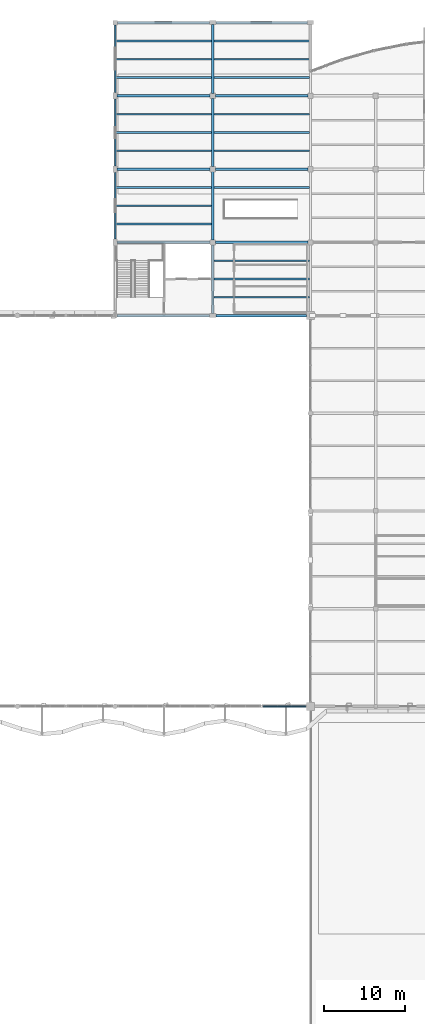
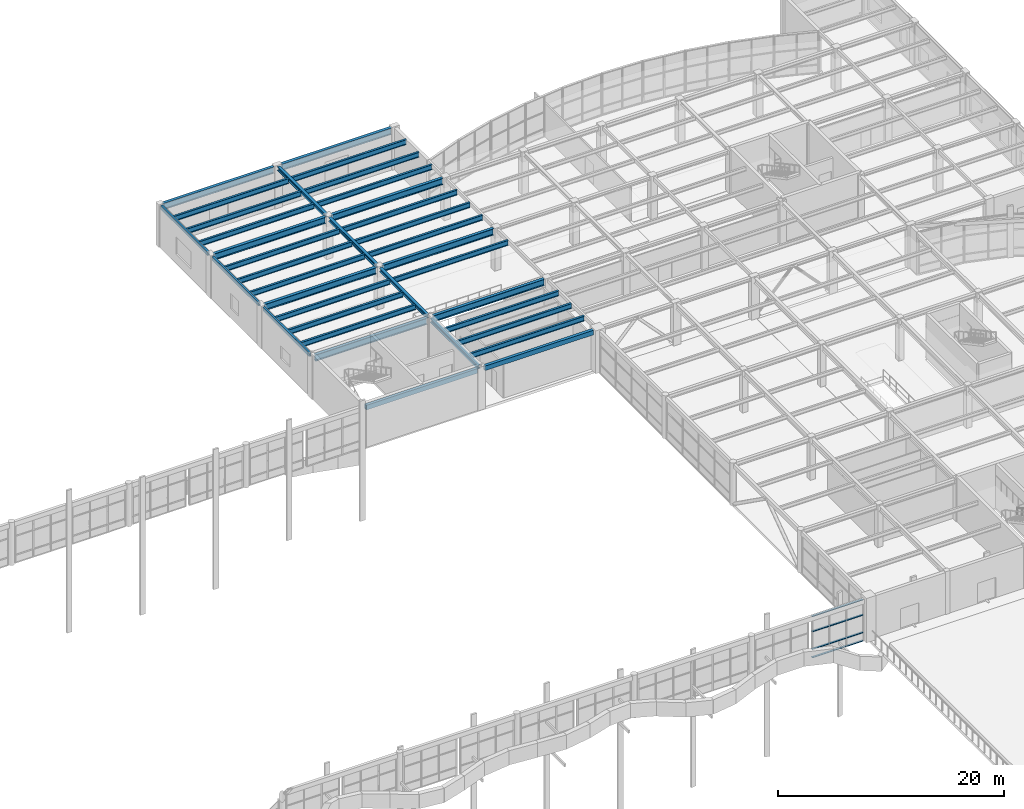
# One storey, part 22 of 63: 36 beams, 4 members, 1 element without a shape of its own.
"""IFC4 building model written with IfcOpenShell, lengths in metres."""

from ifc_helpers import new_model, si_unit, direction, frame, origin, origin_2d, place, context, subcontext, project, spatial, rectangle, hollow_rectangle, i_section, extrude, material, layer, layer_set, material_profile, profile_set, type_object, element, aggregate, save


model = new_model("IFC4")

# Units and contexts
model_context = context("Model", 3, precision=1e-05, world=origin(), true_north=direction((0.0, 1.0)))
body_context = subcontext(model_context, "Body", "Model", "MODEL_VIEW")
ifc_project = project(units=[si_unit("LENGTHUNIT", "METRE"), si_unit("AREAUNIT", "SQUARE_METRE"), si_unit("VOLUMEUNIT", "CUBIC_METRE"), si_unit("PLANEANGLEUNIT", "RADIAN"), si_unit("MASSUNIT", "GRAM", prefix="KILO")], contexts=[model_context])

# Site, building, storey
site_placement = place(None, origin())
site = spatial("IfcSite", under=ifc_project, at=site_placement, CompositionType="ELEMENT")
building_placement = place(site_placement, origin())
building = spatial("IfcBuilding", under=site, at=building_placement, Name="Keelwater Ferry Terminal", CompositionType="ELEMENT")
storey_placement = place(building_placement, frame((0.0, 0.0, 10.199951171875)))
storey = spatial("IfcBuildingStorey", under=building, at=storey_placement, Name="L02", CompositionType="ELEMENT", Elevation=10.199951171875)

# Curtain wall, members
ifc_material_1 = material(Name="Thermally broken unitised aluminium and triple glass", Category="aluminium")
ifc_layer = layer(ifc_material_1, 0.179931640625)
ifc_layer_set = layer_set([ifc_layer], Name="Thermally broken unitised aluminium and triple glass")
curtain_wall_type = type_object("IfcCurtainWallType", Name="CW-03 Unitised Curtain Wall 5230x4450", PredefinedType="USERDEFINED", material=ifc_layer_set)
curtain_wall_placement = place(storey_placement, origin())
curtain_wall = element("IfcCurtainWall", 1, at=curtain_wall_placement, inside=storey, type_object=curtain_wall_type, Name="Unitised Curtain Wall CW-L02-024", ObjectType="UNITISED CURTAIN WALL", PredefinedType="USERDEFINED")
ifc_material_2 = material(Name="Aluminium mullion", Category="aluminium")
ifc_material_profile_1 = material_profile(ifc_material_2, rectangle(XDim=0.199951171875, YDim=0.074951171875, at=origin_2d()), Name="CWT-02")
ifc_profile_set_1 = profile_set([ifc_material_profile_1], Name="Aluminium mullion")
member_type = type_object("IfcMemberType", Name="CWT-02 Curtain Transom 75x200", PredefinedType="USERDEFINED", material=ifc_profile_set_1)
member_1_placement = place(storey_placement, frame((126.195068359375, 42.0, 0.0), z_axis=(1.0, 0.0, 0.0), x_axis=(0.0, 1.0, 0.0)))
member_1 = element("IfcMember", 2, at=member_1_placement, type_object=member_type, Name="CW-L02-024 Transom 1", ObjectType="TRANSOM", PredefinedType="USERDEFINED", context=body_context, shape_type="SweptSolid", body=[
    extrude(rectangle(XDim=0.199951171875, YDim=0.074951171875, at=origin_2d()), origin(), (0.0, 0.0, 1.0), 5.22998046875),
])
member_2_placement = place(storey_placement, frame((126.195068359375, 42.0, 0.900146484375), z_axis=(1.0, 0.0, 0.0), x_axis=(0.0, 1.0, 0.0)))
member_2 = element("IfcMember", 3, at=member_2_placement, type_object=member_type, Name="CW-L02-024 Transom 2", ObjectType="TRANSOM", PredefinedType="USERDEFINED", context=body_context, shape_type="SweptSolid", body=[
    extrude(rectangle(XDim=0.199951171875, YDim=0.074951171875, at=origin_2d()), origin(), (0.0, 0.0, 1.0), 5.22998046875),
])
member_3_placement = place(storey_placement, frame((126.195068359375, 42.0, 2.800048828125), z_axis=(1.0, 0.0, 0.0), x_axis=(0.0, 1.0, 0.0)))
member_3 = element("IfcMember", 4, at=member_3_placement, type_object=member_type, Name="CW-L02-024 Transom 3", ObjectType="TRANSOM", PredefinedType="USERDEFINED", context=body_context, shape_type="SweptSolid", body=[
    extrude(rectangle(XDim=0.199951171875, YDim=0.074951171875, at=origin_2d()), origin(), (0.0, 0.0, 1.0), 5.22998046875),
])
member_4_placement = place(storey_placement, frame((126.195068359375, 42.0, 4.449951171875), z_axis=(1.0, 0.0, 0.0), x_axis=(0.0, 1.0, 0.0)))
member_4 = element("IfcMember", 5, at=member_4_placement, type_object=member_type, Name="CW-L02-024 Transom 4", ObjectType="TRANSOM", PredefinedType="USERDEFINED", context=body_context, shape_type="SweptSolid", body=[
    extrude(rectangle(XDim=0.199951171875, YDim=0.074951171875, at=origin_2d()), origin(), (0.0, 0.0, 1.0), 5.22998046875),
])
aggregate(curtain_wall, [member_1, member_2, member_3, member_4])

# Beams
ifc_material_3 = material(Name="Steel S355", Category="steel")
ifc_material_profile_2 = material_profile(ifc_material_3, i_section(OverallWidth=0.300048828125, OverallDepth=0.699951171875, WebThickness=0.01708984375, FlangeThickness=0.031982421875, at=origin_2d()), Name="HEB 700")
ifc_profile_set_2 = profile_set([ifc_material_profile_2], Name="Steel S355")
beam_type_1 = type_object("IfcBeamType", Name="G2 HEB 700", PredefinedType="BEAM", material=ifc_profile_set_2)
beam_1_placement = place(storey_placement, frame((108.2451171875, 117.0, 4.170166015625), z_axis=(1.0, 0.0, 0.0), x_axis=(0.0, 1.0, 0.0)))
element("IfcBeam", 6, at=beam_1_placement, inside=storey, type_object=beam_type_1, Name="Beam BM-L02-1061", PredefinedType="BEAM", context=body_context, shape_type="SweptSolid", body=[
    extrude(i_section(OverallWidth=0.300048828125, OverallDepth=0.699951171875, WebThickness=0.01708984375, FlangeThickness=0.031982421875, at=origin_2d()), origin(), (0.0, 0.0, 1.0), 11.436767578125),
])
beam_2_placement = place(storey_placement, frame((120.318115234375, 117.0, 4.170166015625), z_axis=(1.0, 0.0, 0.0), x_axis=(0.0, 1.0, 0.0)))
element("IfcBeam", 7, at=beam_2_placement, inside=storey, type_object=beam_type_1, Name="Beam BM-L02-1062", PredefinedType="BEAM", context=body_context, shape_type="SweptSolid", body=[
    extrude(i_section(OverallWidth=0.300048828125, OverallDepth=0.699951171875, WebThickness=0.01708984375, FlangeThickness=0.031982421875, at=origin_2d()), origin(), (0.0, 0.0, 1.0), 11.36376953125),
])
ifc_material_4 = material(Name="Steel S355", Category="steel")
ifc_material_profile_3 = material_profile(ifc_material_4, i_section(OverallWidth=0.300048828125, OverallDepth=0.699951171875, WebThickness=0.01708984375, FlangeThickness=0.031982421875, at=origin_2d()), Name="HEB 700")
ifc_profile_set_3 = profile_set([ifc_material_profile_3], Name="Steel S355")
beam_type_2 = type_object("IfcBeamType", Name="G2E HEB 700", PredefinedType="BEAM", material=ifc_profile_set_3)
beam_3_placement = place(storey_placement, frame((108.2451171875, 99.0, 4.170166015625), z_axis=(1.0, 0.0, 0.0), x_axis=(0.0, 1.0, 0.0)))
element("IfcBeam", 8, at=beam_3_placement, inside=storey, type_object=beam_type_2, Name="Beam BM-L02-1045", PredefinedType="BEAM", context=body_context, shape_type="SweptSolid", body=[
    extrude(i_section(OverallWidth=0.300048828125, OverallDepth=0.699951171875, WebThickness=0.01708984375, FlangeThickness=0.031982421875, at=origin_2d()), origin(), (0.0, 0.0, 1.0), 11.436767578125),
])
beam_4_placement = place(storey_placement, frame((120.318115234375, 99.0, 4.170166015625), z_axis=(1.0, 0.0, 0.0), x_axis=(0.0, 1.0, 0.0)))
element("IfcBeam", 9, at=beam_4_placement, inside=storey, type_object=beam_type_2, Name="Beam BM-L02-1046", PredefinedType="BEAM", context=body_context, shape_type="SweptSolid", body=[
    extrude(i_section(OverallWidth=0.300048828125, OverallDepth=0.699951171875, WebThickness=0.01708984375, FlangeThickness=0.031982421875, at=origin_2d()), origin(), (0.0, 0.0, 1.0), 11.36376953125),
])
beam_5_placement = place(storey_placement, frame((108.2451171875, 108.0, 4.170166015625), z_axis=(1.0, 0.0, 0.0), x_axis=(0.0, 1.0, 0.0)))
element("IfcBeam", 10, at=beam_5_placement, inside=storey, type_object=beam_type_2, Name="Beam BM-L02-1053", PredefinedType="BEAM", context=body_context, shape_type="SweptSolid", body=[
    extrude(i_section(OverallWidth=0.300048828125, OverallDepth=0.699951171875, WebThickness=0.01708984375, FlangeThickness=0.031982421875, at=origin_2d()), origin(), (0.0, 0.0, 1.0), 11.436767578125),
])
beam_6_placement = place(storey_placement, frame((120.318115234375, 108.0, 4.170166015625), z_axis=(1.0, 0.0, 0.0), x_axis=(0.0, 1.0, 0.0)))
element("IfcBeam", 11, at=beam_6_placement, inside=storey, type_object=beam_type_2, Name="Beam BM-L02-1054", PredefinedType="BEAM", context=body_context, shape_type="SweptSolid", body=[
    extrude(i_section(OverallWidth=0.300048828125, OverallDepth=0.699951171875, WebThickness=0.01708984375, FlangeThickness=0.031982421875, at=origin_2d()), origin(), (0.0, 0.0, 1.0), 11.36376953125),
])
beam_7_placement = place(storey_placement, frame((108.27001953125, 126.0, 4.170166015625), z_axis=(1.0, 0.0, 0.0), x_axis=(0.0, 1.0, 0.0)))
element("IfcBeam", 12, at=beam_7_placement, inside=storey, type_object=beam_type_2, Name="Beam BM-L02-1069", PredefinedType="BEAM", context=body_context, shape_type="SweptSolid", body=[
    extrude(i_section(OverallWidth=0.300048828125, OverallDepth=0.699951171875, WebThickness=0.01708984375, FlangeThickness=0.031982421875, at=origin_2d()), origin(), (0.0, 0.0, 1.0), 11.337890625),
])
beam_8_placement = place(storey_placement, frame((120.39208984375, 126.0, 4.170166015625), z_axis=(1.0, 0.0, 0.0), x_axis=(0.0, 1.0, 0.0)))
element("IfcBeam", 13, at=beam_8_placement, inside=storey, type_object=beam_type_2, Name="Beam BM-L02-1070", PredefinedType="BEAM", context=body_context, shape_type="SweptSolid", body=[
    extrude(i_section(OverallWidth=0.300048828125, OverallDepth=0.699951171875, WebThickness=0.01708984375, FlangeThickness=0.031982421875, at=origin_2d()), origin(), (0.0, 0.0, 1.0), 11.2158203125),
])
ifc_material_5 = material(Name="Steel S355", Category="steel")
ifc_material_profile_4 = material_profile(ifc_material_5, i_section(OverallWidth=0.300048828125, OverallDepth=0.39990234375, WebThickness=0.013427734375, FlangeThickness=0.02392578125, at=origin_2d()), Name="HEB 400")
ifc_profile_set_4 = profile_set([ifc_material_profile_4], Name="Steel S355")
beam_type_3 = type_object("IfcBeamType", Name="G7 HEB 400", PredefinedType="BEAM", material=ifc_profile_set_4)
beam_9_placement = place(storey_placement, frame((120.0, 90.2451171875, 4.320068359375), z_axis=(0.0, 1.0, 0.0), x_axis=(-1.0, 0.0, 0.0)))
element("IfcBeam", 14, at=beam_9_placement, inside=storey, type_object=beam_type_3, Name="Beam BM-L02-1096", PredefinedType="BEAM", context=body_context, shape_type="SweptSolid", body=[
    extrude(i_section(OverallWidth=0.300048828125, OverallDepth=0.39990234375, WebThickness=0.013427734375, FlangeThickness=0.02392578125, at=origin_2d()), origin(), (0.0, 0.0, 1.0), 8.436767578125),
])
for number, where, z_axis, x_axis, name in (
    (15, (120.0, 99.318115234375, 4.320068359375), (0.0, 1.0, 0.0), (-1.0, 0.0, 0.0), "Beam BM-L02-1097"),
    (16, (120.0, 108.318115234375, 4.320068359375), (0.0, 1.0, 0.0), (-1.0, 0.0, 0.0), "Beam BM-L02-1098"),
):
    element("IfcBeam", number, at=place(storey_placement, frame(where, z_axis=z_axis, x_axis=x_axis)), inside=storey, type_object=beam_type_3, Name=name, PredefinedType="BEAM", context=body_context, shape_type="SweptSolid", body=[
        extrude(i_section(OverallWidth=0.300048828125, OverallDepth=0.39990234375, WebThickness=0.013427734375, FlangeThickness=0.02392578125, at=origin_2d()), origin(), (0.0, 0.0, 1.0), 8.36376953125),
    ])
beam_10_placement = place(storey_placement, frame((120.0, 117.318115234375, 4.320068359375), z_axis=(0.0, 1.0, 0.0), x_axis=(-1.0, 0.0, 0.0)))
element("IfcBeam", 17, at=beam_10_placement, inside=storey, type_object=beam_type_3, Name="Beam BM-L02-1099", PredefinedType="BEAM", context=body_context, shape_type="SweptSolid", body=[
    extrude(i_section(OverallWidth=0.300048828125, OverallDepth=0.39990234375, WebThickness=0.013427734375, FlangeThickness=0.02392578125, at=origin_2d()), origin(), (0.0, 0.0, 1.0), 8.436767578125),
])
ifc_material_6 = material(Name="Steel S355", Category="steel")
ifc_material_profile_5 = material_profile(ifc_material_6, i_section(OverallWidth=0.2099609375, OverallDepth=0.550048828125, WebThickness=0.010986328125, FlangeThickness=0.01708984375, at=origin_2d()), Name="IPE 550")
ifc_profile_set_5 = profile_set([ifc_material_profile_5], Name="Steel S355")
beam_type_4 = type_object("IfcBeamType", Name="J2 IPE 550", PredefinedType="JOIST", material=ifc_profile_set_5)
for number, where, z_axis, x_axis, name in (
    (18, (108.10009765625, 101.25, 4.2451171875), (1.0, 0.0, 0.0), (0.0, 1.0, 0.0), "Beam BM-L02-1176"),
    (19, (108.10009765625, 103.5, 4.2451171875), (1.0, 0.0, 0.0), (0.0, 1.0, 0.0), "Beam BM-L02-1177"),
    (20, (108.10009765625, 105.75, 4.2451171875), (1.0, 0.0, 0.0), (0.0, 1.0, 0.0), "Beam BM-L02-1178"),
    (21, (108.10009765625, 110.25, 4.2451171875), (1.0, 0.0, 0.0), (0.0, 1.0, 0.0), "Beam BM-L02-1179"),
    (22, (108.10009765625, 112.5, 4.2451171875), (1.0, 0.0, 0.0), (0.0, 1.0, 0.0), "Beam BM-L02-1180"),
    (23, (108.10009765625, 114.75, 4.2451171875), (1.0, 0.0, 0.0), (0.0, 1.0, 0.0), "Beam BM-L02-1181"),
    (24, (108.10009765625, 119.25, 4.2451171875), (1.0, 0.0, 0.0), (0.0, 1.0, 0.0), "Beam BM-L02-1182"),
    (25, (108.10009765625, 121.5, 4.2451171875), (1.0, 0.0, 0.0), (0.0, 1.0, 0.0), "Beam BM-L02-1183"),
    (26, (108.10009765625, 123.75, 4.2451171875), (1.0, 0.0, 0.0), (0.0, 1.0, 0.0), "Beam BM-L02-1184"),
    (27, (120.14990234375, 92.25, 4.2451171875), (1.0, 0.0, 0.0), (0.0, 1.0, 0.0), "Beam BM-L02-1185"),
    (28, (120.14990234375, 94.5, 4.2451171875), (1.0, 0.0, 0.0), (0.0, 1.0, 0.0), "Beam BM-L02-1186"),
    (29, (120.14990234375, 96.75, 4.2451171875), (1.0, 0.0, 0.0), (0.0, 1.0, 0.0), "Beam BM-L02-1187"),
    (30, (120.14990234375, 105.75, 4.2451171875), (1.0, 0.0, 0.0), (0.0, 1.0, 0.0), "Beam BM-L02-1188"),
    (31, (120.14990234375, 110.25, 4.2451171875), (1.0, 0.0, 0.0), (0.0, 1.0, 0.0), "Beam BM-L02-1189"),
    (32, (120.14990234375, 112.5, 4.2451171875), (1.0, 0.0, 0.0), (0.0, 1.0, 0.0), "Beam BM-L02-1190"),
    (33, (120.14990234375, 114.75, 4.2451171875), (1.0, 0.0, 0.0), (0.0, 1.0, 0.0), "Beam BM-L02-1191"),
    (34, (120.14990234375, 119.25, 4.2451171875), (1.0, 0.0, 0.0), (0.0, 1.0, 0.0), "Beam BM-L02-1192"),
    (35, (120.14990234375, 121.5, 4.2451171875), (1.0, 0.0, 0.0), (0.0, 1.0, 0.0), "Beam BM-L02-1193"),
    (36, (120.14990234375, 123.75, 4.2451171875), (1.0, 0.0, 0.0), (0.0, 1.0, 0.0), "Beam BM-L02-1194"),
):
    element("IfcBeam", number, at=place(storey_placement, frame(where, z_axis=z_axis, x_axis=x_axis)), inside=storey, type_object=beam_type_4, Name=name, PredefinedType="JOIST", context=body_context, shape_type="SweptSolid", body=[
        extrude(i_section(OverallWidth=0.2099609375, OverallDepth=0.550048828125, WebThickness=0.010986328125, FlangeThickness=0.01708984375, at=origin_2d()), origin(), (0.0, 0.0, 1.0), 11.75),
    ])
ifc_material_7 = material(Name="Steel S355", Category="steel")
ifc_material_profile_6 = material_profile(ifc_material_7, hollow_rectangle(XDim=0.300048828125, YDim=0.5, WallThickness=0.02001953125, at=origin_2d()), Name="RHS 500x300x20")
ifc_profile_set_6 = profile_set([ifc_material_profile_6], Name="Steel S355")
beam_type_5 = type_object("IfcBeamType", Name="RB1E RHS 500x300x20", PredefinedType="SPANDREL", material=ifc_profile_set_6)
beam_11_placement = place(storey_placement, frame((108.24609375, 90.0, 4.27001953125), z_axis=(1.0, 0.0, 0.0), x_axis=(0.0, 1.0, 0.0)))
element("IfcBeam", 37, at=beam_11_placement, inside=storey, type_object=beam_type_5, Name="Beam BM-L02-1037", PredefinedType="SPANDREL", context=body_context, shape_type="SweptSolid", body=[
    extrude(hollow_rectangle(XDim=0.300048828125, YDim=0.5, WallThickness=0.02001953125, at=origin_2d()), origin(), (0.0, 0.0, 1.0), 11.36181640625),
])
beam_12_placement = place(storey_placement, frame((120.39208984375, 90.0, 4.27001953125), z_axis=(1.0, 0.0, 0.0), x_axis=(0.0, 1.0, 0.0)))
element("IfcBeam", 38, at=beam_12_placement, inside=storey, type_object=beam_type_5, Name="Beam BM-L02-1038", PredefinedType="SPANDREL", context=body_context, shape_type="SweptSolid", body=[
    extrude(hollow_rectangle(XDim=0.300048828125, YDim=0.5, WallThickness=0.02001953125, at=origin_2d()), origin(), (0.0, 0.0, 1.0), 11.117919921875),
])
ifc_material_8 = material(Name="Steel S355", Category="steel")
ifc_material_profile_7 = material_profile(ifc_material_8, hollow_rectangle(XDim=0.199951171875, YDim=0.39990234375, WallThickness=0.01611328125, at=origin_2d()), Name="RHS 400x200x16")
ifc_profile_set_7 = profile_set([ifc_material_profile_7], Name="Steel S355")
beam_type_6 = type_object("IfcBeamType", Name="SP3E RHS 400x200x16", PredefinedType="SPANDREL", material=ifc_profile_set_7)
for number, where, z_axis, x_axis, name in (
    (39, (108.0, 99.39208984375, 4.320068359375), (0.0, 1.0, 0.0), (-1.0, 0.0, 0.0), "Beam BM-L02-1093"),
    (40, (108.0, 108.39208984375, 4.320068359375), (0.0, 1.0, 0.0), (-1.0, 0.0, 0.0), "Beam BM-L02-1094"),
):
    element("IfcBeam", number, at=place(storey_placement, frame(where, z_axis=z_axis, x_axis=x_axis)), inside=storey, type_object=beam_type_6, Name=name, PredefinedType="SPANDREL", context=body_context, shape_type="SweptSolid", body=[
        extrude(hollow_rectangle(XDim=0.199951171875, YDim=0.39990234375, WallThickness=0.01611328125, at=origin_2d()), origin(), (0.0, 0.0, 1.0), 8.2158203125),
    ])
beam_13_placement = place(storey_placement, frame((108.0, 117.39208984375, 4.320068359375), z_axis=(0.0, 1.0, 0.0), x_axis=(-1.0, 0.0, 0.0)))
element("IfcBeam", 41, at=beam_13_placement, inside=storey, type_object=beam_type_6, Name="Beam BM-L02-1095", PredefinedType="SPANDREL", context=body_context, shape_type="SweptSolid", body=[
    extrude(hollow_rectangle(XDim=0.199951171875, YDim=0.39990234375, WallThickness=0.01611328125, at=origin_2d()), origin(), (0.0, 0.0, 1.0), 8.337890625),
])

save(model, "model.ifc")
